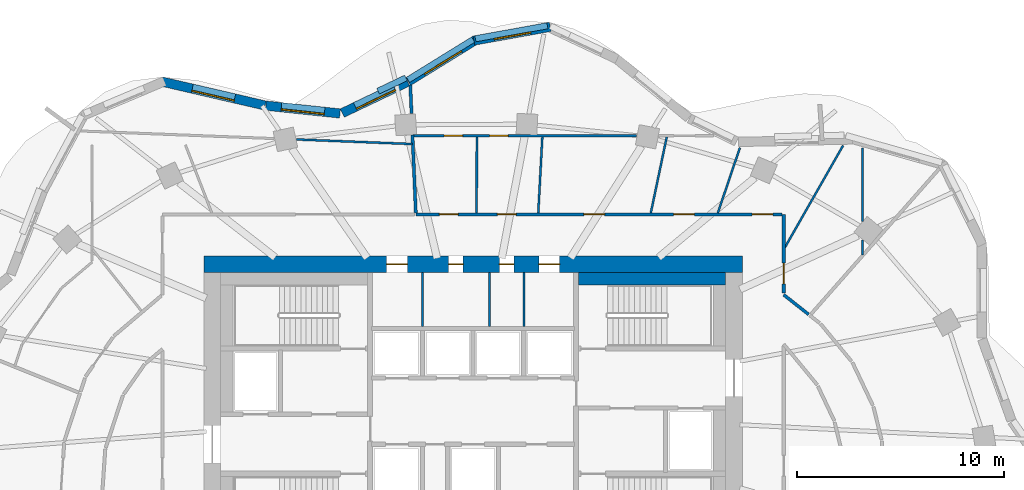
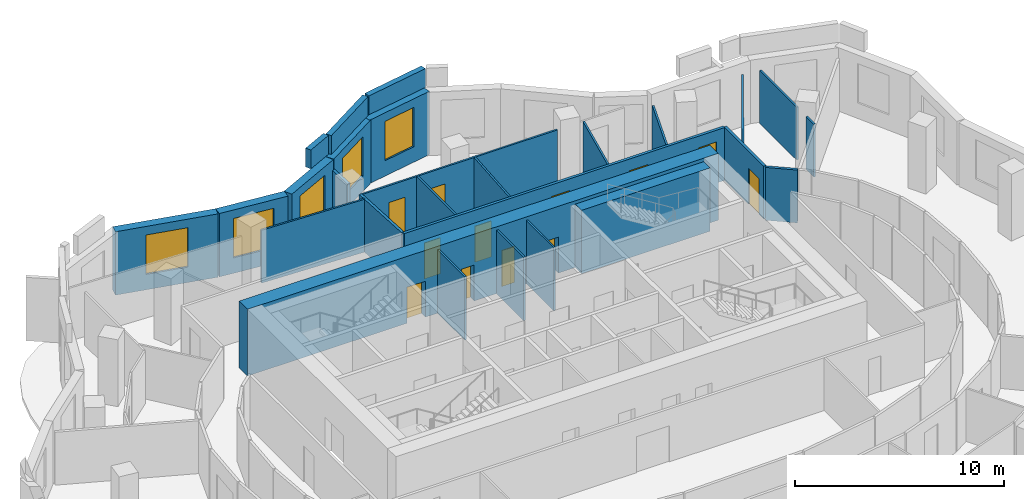
# One storey, part 10 of 13: 27 walls, 12 doors, 5 windows, 17 openings.
"""IFC4 building model written with IfcOpenShell, lengths in metres."""

from ifc_helpers import new_model, si_unit, direction, frame, frame_2d, origin, place, context, subcontext, project, spatial, rectangle, extrude, material, layer, layer_set, type_object, element, fill, save


model = new_model("IFC4")

# Units and contexts
model_context = context("Model", 3, precision=1e-05, world=origin(), true_north=direction((0.0, 1.0)))
body_context = subcontext(model_context, "Body", "Model", "MODEL_VIEW")
ifc_project = project(units=[si_unit("LENGTHUNIT", "METRE"), si_unit("AREAUNIT", "SQUARE_METRE"), si_unit("VOLUMEUNIT", "CUBIC_METRE"), si_unit("PLANEANGLEUNIT", "RADIAN"), si_unit("MASSUNIT", "GRAM", prefix="KILO")], contexts=[model_context])

# Site, building, storey
site_placement = place(None, origin())
site = spatial("IfcSite", under=ifc_project, at=site_placement, CompositionType="ELEMENT")
building_placement = place(site_placement, origin())
building = spatial("IfcBuilding", under=site, at=building_placement, Name="Rubra Terraces Tower", CompositionType="ELEMENT")
storey_placement = place(building_placement, frame((0.0, 0.0, 233.10009765625)))
storey = spatial("IfcBuildingStorey", under=building, at=storey_placement, Name="L57", CompositionType="ELEMENT", Elevation=233.10009765625)

# Wall, opening, window
ifc_material_1 = material(Name="Brick masonry red-brown", Category="masonry")
ifc_layer_1 = layer(ifc_material_1, 0.449951171875)
ifc_layer_set_1 = layer_set([ifc_layer_1], Name="Brick masonry red-brown")
wall_type_1 = type_object("IfcWallType", Name="Brick facade wall 450", PredefinedType="SOLIDWALL", material=ifc_layer_set_1)
wall_1_placement = place(storey_placement, frame((3.726806640625, 23.060546875, 0.0), z_axis=(0.0, 0.0, 1.0), x_axis=(-0.984119180424, -0.177508982087, 0.0)))
wall_1 = element("IfcWall", 1, at=wall_1_placement, inside=storey, type_object=wall_type_1, Name="Facade wall L57 bay 10", PredefinedType="SOLIDWALL", context=body_context, shape_type="SweptSolid", body=[
    extrude(rectangle(XDim=3.74658203125, YDim=0.449951171875, at=frame_2d((1.873291015625, 0.0))), origin(), (0.0, 0.0, 1.0), 3.699951171875),
])
opening_1_placement = place(wall_1_placement, frame((0.97314453125, 0.0, 0.89990234375)))
opening_1 = element("IfcOpeningElement", 2, at=opening_1_placement, cuts=wall_1, Name="Opening W6B", PredefinedType="OPENING", context=body_context, shape_type="SweptSolid", body=[
    extrude(rectangle(XDim=1.800048828125, YDim=2.300048828125, at=frame_2d((0.89990234375, 1.14990234375))), frame((0.0, 0.23486328125, 0.0), z_axis=(0.0, -1.0, 0.0), x_axis=(1.0, 0.0, 0.0)), (0.0, 0.0, 1.0), 0.469970703125),
])
ifc_material_2 = material(Name="Clear glass in aluminium frame", Category="aluminium")
window_type_1 = type_object("IfcWindowType", Name="Fixed deep-set window at wind fin tall storey 1800 x 2300", PartitioningType="SINGLE_PANEL", PredefinedType="WINDOW", material=ifc_material_2)
window_1_placement = place(opening_1_placement, origin())
window_1 = element("IfcWindow", 3, at=window_1_placement, inside=storey, type_object=window_type_1, Name="Window L57 bay 10", OverallHeight=2.300048828125, OverallWidth=1.800048828125, PartitioningType="SINGLE_PANEL", PredefinedType="WINDOW", context=body_context, shape_type="SweptSolid", body=[
    extrude(rectangle(XDim=1.800048828125, YDim=2.300048828125, at=frame_2d((0.89990234375, 1.14990234375))), frame((0.0, 0.135009765625, 0.0), z_axis=(0.0, -1.0, 0.0), x_axis=(1.0, 0.0, 0.0)), (0.0, 0.0, 1.0), 0.06005859375),
])
fill(opening_1, window_1)

wall_2_placement = place(storey_placement, frame((0.114990234375, 22.423583984375, 0.0), z_axis=(0.0, 0.0, 1.0), x_axis=(-0.8506970368, -0.525656305564, 0.0)))
wall_2 = element("IfcWall", 4, at=wall_2_placement, inside=storey, type_object=wall_type_1, Name="Facade wall L57 bay 11", PredefinedType="SOLIDWALL", context=body_context, shape_type="SweptSolid", body=[
    extrude(rectangle(XDim=3.81640625, YDim=0.449951171875, at=frame_2d((1.908203125, 0.0))), origin(), (0.0, 0.0, 1.0), 3.699951171875),
])
opening_2_placement = place(wall_2_placement, frame((0.858154296875, 0.0, 0.89990234375)))
opening_2 = element("IfcOpeningElement", 5, at=opening_2_placement, cuts=wall_2, Name="Opening W1B", PredefinedType="OPENING", context=body_context, shape_type="SweptSolid", body=[
    extrude(rectangle(XDim=2.10009765625, YDim=2.300048828125, at=frame_2d((1.050048828125, 1.14990234375))), frame((0.0, 0.23486328125, 0.0), z_axis=(0.0, -1.0, 0.0), x_axis=(1.0, 0.0, 0.0)), (0.0, 0.0, 1.0), 0.469970703125),
])
window_type_2 = type_object("IfcWindowType", Name="Fixed deep-set window tall storey 2100 x 2300", PartitioningType="SINGLE_PANEL", PredefinedType="WINDOW", material=ifc_material_2)
window_2_placement = place(opening_2_placement, origin())
window_2 = element("IfcWindow", 6, at=window_2_placement, inside=storey, type_object=window_type_2, Name="Window L57 bay 11", OverallHeight=2.300048828125, OverallWidth=2.10009765625, PartitioningType="SINGLE_PANEL", PredefinedType="WINDOW", context=body_context, shape_type="SweptSolid", body=[
    extrude(rectangle(XDim=2.10009765625, YDim=2.300048828125, at=frame_2d((1.050048828125, 1.14990234375))), frame((0.0, 0.135009765625, 0.0), z_axis=(0.0, -1.0, 0.0), x_axis=(1.0, 0.0, 0.0)), (0.0, 0.0, 1.0), 0.06005859375),
])
fill(opening_2, window_2)

wall_3_placement = place(storey_placement, frame((-3.153564453125, 20.406005859375, 0.0), z_axis=(0.0, 0.0, 1.0), x_axis=(-0.902333313, -0.431038968367, 0.0)))
wall_3 = element("IfcWall", 7, at=wall_3_placement, inside=storey, type_object=wall_type_1, Name="Facade wall L57 bay 12", PredefinedType="SOLIDWALL", context=body_context, shape_type="SweptSolid", body=[
    extrude(rectangle(XDim=3.50537109375, YDim=0.449951171875, at=frame_2d((1.752685546875, 0.0))), origin(), (0.0, 0.0, 1.0), 3.699951171875),
])
opening_3_placement = place(wall_3_placement, frame((0.702880859375, 0.0, 0.89990234375)))
opening_3 = element("IfcOpeningElement", 8, at=opening_3_placement, cuts=wall_3, Name="Opening W1B", PredefinedType="OPENING", context=body_context, shape_type="SweptSolid", body=[
    extrude(rectangle(XDim=2.10009765625, YDim=2.300048828125, at=frame_2d((1.050048828125, 1.14990234375))), frame((0.0, 0.23486328125, 0.0), z_axis=(0.0, -1.0, 0.0), x_axis=(1.0, 0.0, 0.0)), (0.0, 0.0, 1.0), 0.469970703125),
])
window_3_placement = place(opening_3_placement, origin())
window_3 = element("IfcWindow", 9, at=window_3_placement, inside=storey, type_object=window_type_2, Name="Window L57 bay 12", OverallHeight=2.300048828125, OverallWidth=2.10009765625, PartitioningType="SINGLE_PANEL", PredefinedType="WINDOW", context=body_context, shape_type="SweptSolid", body=[
    extrude(rectangle(XDim=2.10009765625, YDim=2.300048828125, at=frame_2d((1.050048828125, 1.14990234375))), frame((0.0, 0.135009765625, 0.0), z_axis=(0.0, -1.0, 0.0), x_axis=(1.0, 0.0, 0.0)), (0.0, 0.0, 1.0), 0.06005859375),
])
fill(opening_3, window_3)

wall_4_placement = place(storey_placement, frame((-6.4267578125, 18.875244140625, 0.0), z_axis=(0.0, 0.0, 1.0), x_axis=(-0.994433468803, 0.10536638992, 0.0)))
wall_4 = element("IfcWall", 10, at=wall_4_placement, inside=storey, type_object=wall_type_1, Name="Facade wall L57 bay 13", PredefinedType="SOLIDWALL", context=body_context, shape_type="SweptSolid", body=[
    extrude(rectangle(XDim=3.598388671875, YDim=0.449951171875, at=frame_2d((1.79931640625, 0.0))), origin(), (0.0, 0.0, 1.0), 3.699951171875),
])
opening_4_placement = place(wall_4_placement, frame((0.749267578125, 0.0, 0.89990234375)))
opening_4 = element("IfcOpeningElement", 11, at=opening_4_placement, cuts=wall_4, Name="Opening W1B", PredefinedType="OPENING", context=body_context, shape_type="SweptSolid", body=[
    extrude(rectangle(XDim=2.10009765625, YDim=2.300048828125, at=frame_2d((1.050048828125, 1.14990234375))), frame((0.0, 0.23486328125, 0.0), z_axis=(0.0, -1.0, 0.0), x_axis=(1.0, 0.0, 0.0)), (0.0, 0.0, 1.0), 0.469970703125),
])
window_4_placement = place(opening_4_placement, origin())
window_4 = element("IfcWindow", 12, at=window_4_placement, inside=storey, type_object=window_type_2, Name="Window L57 bay 13", OverallHeight=2.300048828125, OverallWidth=2.10009765625, PartitioningType="SINGLE_PANEL", PredefinedType="WINDOW", context=body_context, shape_type="SweptSolid", body=[
    extrude(rectangle(XDim=2.10009765625, YDim=2.300048828125, at=frame_2d((1.050048828125, 1.14990234375))), frame((0.0, 0.135009765625, 0.0), z_axis=(0.0, -1.0, 0.0), x_axis=(1.0, 0.0, 0.0)), (0.0, 0.0, 1.0), 0.06005859375),
])
fill(opening_4, window_4)

wall_5_placement = place(storey_placement, frame((-10.0341796875, 19.258544921875, 0.0), z_axis=(0.0, 0.0, 1.0), x_axis=(-0.974223567844, 0.225584662283, 0.0)))
wall_5 = element("IfcWall", 13, at=wall_5_placement, inside=storey, type_object=wall_type_1, Name="Facade wall L57 bay 14", PredefinedType="SOLIDWALL", context=body_context, shape_type="SweptSolid", body=[
    extrude(rectangle(XDim=5.138671875, YDim=0.449951171875, at=frame_2d((2.5693359375, 0.0))), origin(), (0.0, 0.0, 1.0), 3.699951171875),
])
opening_5_placement = place(wall_5_placement, frame((1.51904296875, 0.0, 0.89990234375)))
opening_5 = element("IfcOpeningElement", 14, at=opening_5_placement, cuts=wall_5, Name="Opening W1B", PredefinedType="OPENING", context=body_context, shape_type="SweptSolid", body=[
    extrude(rectangle(XDim=2.10009765625, YDim=2.300048828125, at=frame_2d((1.050048828125, 1.14990234375))), frame((0.0, 0.23486328125, 0.0), z_axis=(0.0, -1.0, 0.0), x_axis=(1.0, 0.0, 0.0)), (0.0, 0.0, 1.0), 0.469970703125),
])
window_5_placement = place(opening_5_placement, origin())
window_5 = element("IfcWindow", 15, at=window_5_placement, inside=storey, type_object=window_type_2, Name="Window L57 bay 14", OverallHeight=2.300048828125, OverallWidth=2.10009765625, PartitioningType="SINGLE_PANEL", PredefinedType="WINDOW", context=body_context, shape_type="SweptSolid", body=[
    extrude(rectangle(XDim=2.10009765625, YDim=2.300048828125, at=frame_2d((1.050048828125, 1.14990234375))), frame((0.0, 0.135009765625, 0.0), z_axis=(0.0, -1.0, 0.0), x_axis=(1.0, 0.0, 0.0)), (0.0, 0.0, 1.0), 0.06005859375),
])
fill(opening_5, window_5)

# Walls
ifc_layer_2 = layer(ifc_material_1, 0.300048828125)
ifc_layer_set_2 = layer_set([ifc_layer_2], Name="Brick masonry red-brown")
wall_type_2 = type_object("IfcWallType", Name="Brick parapet 300", PredefinedType="PARAPET", material=ifc_layer_set_2)
wall_6_placement = place(storey_placement, frame((3.58984375, 23.112060546875, 3.89990234375), z_axis=(0.0, 0.0, 1.0), x_axis=(-0.984124248147, -0.177480884064, 0.0)))
element("IfcWall", 16, at=wall_6_placement, inside=storey, type_object=wall_type_2, Name="Parapet L57 bay 10", PredefinedType="PARAPET", context=body_context, shape_type="SweptSolid", body=[
    extrude(rectangle(XDim=3.533935546875, YDim=0.300048828125, at=frame_2d((1.76708984375, 0.0))), origin(), (0.0, 0.0, 1.0), 1.10009765625),
])
wall_7_placement = place(storey_placement, frame((0.0048828125, 22.443603515625, 3.89990234375), z_axis=(0.0, 0.0, 1.0), x_axis=(-0.850710394144, -0.525634688063, 0.0)))
element("IfcWall", 17, at=wall_7_placement, inside=storey, type_object=wall_type_2, Name="Parapet L57 bay 11", PredefinedType="PARAPET", context=body_context, shape_type="SweptSolid", body=[
    extrude(rectangle(XDim=3.701904296875, YDim=0.300048828125, at=frame_2d((1.85107421875, 0.0))), origin(), (0.0, 0.0, 1.0), 1.10009765625),
])
wall_8_placement = place(storey_placement, frame((-3.2392578125, 20.594482421875, 3.89990234375), z_axis=(0.0, 0.0, 1.0), x_axis=(-0.902344893923, -0.431014724123, 0.0)))
element("IfcWall", 18, at=wall_8_placement, inside=storey, type_object=wall_type_2, Name="Parapet L57 bay 12", PredefinedType="PARAPET", context=body_context, shape_type="SweptSolid", body=[
    extrude(rectangle(XDim=1.48974609375, YDim=0.300048828125, at=frame_2d((0.744873046875, 0.0))), origin(), (0.0, 0.0, 1.0), 1.10009765625),
])

# Wall, openings, doors
ifc_material_3 = material(Name="Concrete C50", Category="concrete")
ifc_layer_3 = layer(ifc_material_3, 0.800048828125)
ifc_layer_set_3 = layer_set([ifc_layer_3], Name="Concrete C50")
wall_type_3 = type_object("IfcWallType", Name="CORE WALL 800 C50", PredefinedType="SHEAR", material=ifc_layer_set_3)
wall_9_placement = place(storey_placement, frame((-13.0, 11.60009765625, 0.0), z_axis=(0.0, 0.0, 1.0), x_axis=(1.0, 0.0, 0.0)))
wall_9 = element("IfcWall", 19, at=wall_9_placement, inside=storey, type_object=wall_type_3, Name="CORE WALL N L57", PredefinedType="SHEAR", context=body_context, shape_type="SweptSolid", body=[
    extrude(rectangle(XDim=26.0, YDim=0.800048828125, at=frame_2d((13.0, 0.0))), origin(), (0.0, 0.0, 1.0), 3.89990234375),
])
opening_6_placement = place(wall_9_placement, frame((8.824951171875, 0.0, 0.0)))
opening_6 = element("IfcOpeningElement", 20, at=opening_6_placement, cuts=wall_9, Name="Opening L57.C25", PredefinedType="OPENING", context=body_context, shape_type="SweptSolid", body=[
    extrude(rectangle(XDim=1.0, YDim=2.10009765625, at=frame_2d((0.5, 1.050048828125))), frame((0.0, 0.409912109375, 0.0), z_axis=(0.0, -1.0, 0.0), x_axis=(1.0, 0.0, 0.0)), (0.0, 0.0, 1.0), 0.820068359375),
])
opening_7_placement = place(wall_9_placement, frame((11.824951171875, 0.0, 0.0)))
opening_7 = element("IfcOpeningElement", 21, at=opening_7_placement, cuts=wall_9, Name="Opening L57.C26", PredefinedType="OPENING", context=body_context, shape_type="SweptSolid", body=[
    extrude(rectangle(XDim=0.699951171875, YDim=2.10009765625, at=frame_2d((0.35009765625, 1.050048828125))), frame((0.0, 0.409912109375, 0.0), z_axis=(0.0, -1.0, 0.0), x_axis=(1.0, 0.0, 0.0)), (0.0, 0.0, 1.0), 0.820068359375),
])
opening_8_placement = place(wall_9_placement, frame((14.27490234375, 0.0, 0.0)))
opening_8 = element("IfcOpeningElement", 22, at=opening_8_placement, cuts=wall_9, Name="Opening L57.C27", PredefinedType="OPENING", context=body_context, shape_type="SweptSolid", body=[
    extrude(rectangle(XDim=0.699951171875, YDim=2.10009765625, at=frame_2d((0.35009765625, 1.050048828125))), frame((0.0, 0.409912109375, 0.0), z_axis=(0.0, -1.0, 0.0), x_axis=(1.0, 0.0, 0.0)), (0.0, 0.0, 1.0), 0.820068359375),
])
opening_9_placement = place(wall_9_placement, frame((16.175048828125, 0.0, 0.0)))
opening_9 = element("IfcOpeningElement", 23, at=opening_9_placement, cuts=wall_9, Name="Opening L57.C28", PredefinedType="OPENING", context=body_context, shape_type="SweptSolid", body=[
    extrude(rectangle(XDim=1.0, YDim=2.10009765625, at=frame_2d((0.5, 1.050048828125))), frame((0.0, 0.409912109375, 0.0), z_axis=(0.0, -1.0, 0.0), x_axis=(1.0, 0.0, 0.0)), (0.0, 0.0, 1.0), 0.820068359375),
])
ifc_material_4 = material(Name="Painted steel", Category="steel")
door_type_1 = type_object("IfcDoorType", Name="Fire door 1000x2100 single", OperationType="NOTDEFINED", PredefinedType="DOOR", material=ifc_material_4)
door_1_placement = place(opening_6_placement, origin())
door_1 = element("IfcDoor", 24, at=door_1_placement, inside=storey, type_object=door_type_1, Name="Security and building control room door", OperationType="SINGLE_SWING_LEFT", OverallHeight=2.10009765625, OverallWidth=1.0, PredefinedType="DOOR", context=body_context, shape_type="SweptSolid", body=[
    extrude(rectangle(XDim=1.0, YDim=2.10009765625, at=frame_2d((0.5, 1.050048828125))), frame((0.0, 0.02490234375, 0.0), z_axis=(0.0, -1.0, 0.0), x_axis=(1.0, 0.0, 0.0)), (0.0, 0.0, 1.0), 0.050048828125),
])
fill(opening_6, door_1)
door_2_placement = place(opening_9_placement, origin())
door_2 = element("IfcDoor", 25, at=door_2_placement, inside=storey, type_object=door_type_1, Name="Guest pantry door", OperationType="SINGLE_SWING_RIGHT", OverallHeight=2.10009765625, OverallWidth=1.0, PredefinedType="DOOR", context=body_context, shape_type="SweptSolid", body=[
    extrude(rectangle(XDim=1.0, YDim=2.10009765625, at=frame_2d((0.5, 1.050048828125))), frame((0.0, 0.02490234375, 0.0), z_axis=(0.0, -1.0, 0.0), x_axis=(1.0, 0.0, 0.0)), (0.0, 0.0, 1.0), 0.050048828125),
])
fill(opening_9, door_2)
door_type_2 = type_object("IfcDoorType", Name="Riser access door 700x2100 single", OperationType="NOTDEFINED", PredefinedType="DOOR", material=ifc_material_4)
door_3_placement = place(opening_7_placement, origin())
door_3 = element("IfcDoor", 26, at=door_3_placement, inside=storey, type_object=door_type_2, Name="Telecoms room door", OperationType="SINGLE_SWING_RIGHT", OverallHeight=2.10009765625, OverallWidth=0.699951171875, PredefinedType="DOOR", context=body_context, shape_type="SweptSolid", body=[
    extrude(rectangle(XDim=0.699951171875, YDim=2.10009765625, at=frame_2d((0.35009765625, 1.050048828125))), frame((0.0, 0.02490234375, 0.0), z_axis=(0.0, -1.0, 0.0), x_axis=(1.0, 0.0, 0.0)), (0.0, 0.0, 1.0), 0.050048828125),
])
fill(opening_7, door_3)
door_4_placement = place(opening_8_placement, origin())
door_4 = element("IfcDoor", 27, at=door_4_placement, inside=storey, type_object=door_type_2, Name="Water and drainage riser door", OperationType="SINGLE_SWING_LEFT", OverallHeight=2.10009765625, OverallWidth=0.699951171875, PredefinedType="DOOR", context=body_context, shape_type="SweptSolid", body=[
    extrude(rectangle(XDim=0.699951171875, YDim=2.10009765625, at=frame_2d((0.35009765625, 1.050048828125))), frame((0.0, 0.02490234375, 0.0), z_axis=(0.0, -1.0, 0.0), x_axis=(1.0, 0.0, 0.0)), (0.0, 0.0, 1.0), 0.050048828125),
])
fill(opening_8, door_4)

# Wall
ifc_material_5 = material(Name="Plasterboard on steel stud, mineral wool infill", Category="steel")
ifc_layer_4 = layer(ifc_material_5, 0.14990234375)
ifc_layer_set_4 = layer_set([ifc_layer_4], Name="Plasterboard on steel stud, mineral wool infill")
wall_type_4 = type_object("IfcWallType", Name="CORRIDOR PARTITION 150", PredefinedType="PARTITIONING", material=ifc_layer_set_4)
wall_10_placement = place(storey_placement, frame((16.20458984375, 9.1708984375, 0.0), z_axis=(0.0, 0.0, 1.0), x_axis=(-0.785057865828, 0.619422430415, 0.0)))
element("IfcWall", 28, at=wall_10_placement, inside=storey, type_object=wall_type_4, Name="PARTITION", PredefinedType="PARTITIONING", context=body_context, shape_type="SweptSolid", body=[
    extrude(rectangle(XDim=1.534423828125, YDim=0.14990234375, at=frame_2d((0.76708984375, 0.0))), origin(), (0.0, 0.0, 1.0), 3.083984375),
])

# Wall, opening, door
wall_11_placement = place(storey_placement, frame((15.0, 10.1962890625, 0.0), z_axis=(0.0, 0.0, 1.0), x_axis=(0.0, 1.0, 0.0)))
wall_11 = element("IfcWall", 29, at=wall_11_placement, inside=storey, type_object=wall_type_4, Name="PARTITION", PredefinedType="PARTITIONING", context=body_context, shape_type="SweptSolid", body=[
    extrude(rectangle(XDim=3.8037109375, YDim=0.14990234375, at=frame_2d((1.90185546875, 0.0))), origin(), (0.0, 0.0, 1.0), 3.083984375),
])
opening_10_placement = place(wall_11_placement, frame((0.449951171875, 0.0, 0.0)))
opening_10 = element("IfcOpeningElement", 30, at=opening_10_placement, cuts=wall_11, Name="Opening 57-112", PredefinedType="OPENING", context=body_context, shape_type="SweptSolid", body=[
    extrude(rectangle(XDim=1.0, YDim=2.10009765625, at=frame_2d((0.5, 1.050048828125))), frame((0.0, 0.0849609375, 0.0), z_axis=(0.0, -1.0, 0.0), x_axis=(1.0, 0.0, 0.0)), (0.0, 0.0, 1.0), 0.169921875),
])
ifc_material_6 = material(Name="Painted timber door leaf", Category="wood")
door_type_3 = type_object("IfcDoorType", Name="ROOM DOOR 1000 X 2100", OperationType="SINGLE_SWING_LEFT", PredefinedType="DOOR", material=ifc_material_6)
door_5_placement = place(opening_10_placement, origin())
door_5 = element("IfcDoor", 31, at=door_5_placement, inside=storey, type_object=door_type_3, Name="DOOR 57-112", OperationType="SINGLE_SWING_RIGHT", OverallHeight=2.10009765625, OverallWidth=1.0, PredefinedType="DOOR", context=body_context, shape_type="SweptSolid", body=[
    extrude(rectangle(XDim=1.0, YDim=2.10009765625, at=frame_2d((0.5, 1.050048828125))), frame((0.0, 0.02490234375, 0.0), z_axis=(0.0, -1.0, 0.0), x_axis=(1.0, 0.0, 0.0)), (0.0, 0.0, 1.0), 0.050048828125),
])
fill(opening_10, door_5)

# Wall, openings, doors
wall_12_placement = place(storey_placement, frame((14.925048828125, 14.0, 0.0), z_axis=(0.0, 0.0, 1.0), x_axis=(-1.0, 0.0, 0.0)))
wall_12 = element("IfcWall", 32, at=wall_12_placement, inside=storey, type_object=wall_type_4, Name="PARTITION", PredefinedType="PARTITIONING", context=body_context, shape_type="SweptSolid", body=[
    extrude(rectangle(XDim=17.686767578125, YDim=0.14990234375, at=frame_2d((8.84326171875, 0.0))), origin(), (0.0, 0.0, 1.0), 3.083984375),
])
opening_11_placement = place(wall_12_placement, frame((0.449951171875, 0.0, 0.0)))
opening_11 = element("IfcOpeningElement", 33, at=opening_11_placement, cuts=wall_12, Name="Opening 57-113", PredefinedType="OPENING", context=body_context, shape_type="SweptSolid", body=[
    extrude(rectangle(XDim=1.0, YDim=2.39990234375, at=frame_2d((0.5, 1.199951171875))), frame((0.0, 0.0849609375, 0.0), z_axis=(0.0, -1.0, 0.0), x_axis=(1.0, 0.0, 0.0)), (0.0, 0.0, 1.0), 0.169921875),
])
opening_12_placement = place(wall_12_placement, frame((4.243896484375, 0.0, 0.0)))
opening_12 = element("IfcOpeningElement", 34, at=opening_12_placement, cuts=wall_12, Name="Opening 57-114", PredefinedType="OPENING", context=body_context, shape_type="SweptSolid", body=[
    extrude(rectangle(XDim=1.0, YDim=2.39990234375, at=frame_2d((0.5, 1.199951171875))), frame((0.0, 0.0849609375, 0.0), z_axis=(0.0, -1.0, 0.0), x_axis=(1.0, 0.0, 0.0)), (0.0, 0.0, 1.0), 0.169921875),
])
opening_13_placement = place(wall_12_placement, frame((8.570068359375, 0.0, 0.0)))
opening_13 = element("IfcOpeningElement", 35, at=opening_13_placement, cuts=wall_12, Name="Opening 57-115", PredefinedType="OPENING", context=body_context, shape_type="SweptSolid", body=[
    extrude(rectangle(XDim=1.0, YDim=2.39990234375, at=frame_2d((0.5, 1.199951171875))), frame((0.0, 0.0849609375, 0.0), z_axis=(0.0, -1.0, 0.0), x_axis=(1.0, 0.0, 0.0)), (0.0, 0.0, 1.0), 0.169921875),
])
opening_14_placement = place(wall_12_placement, frame((12.85009765625, 0.0, 0.0)))
opening_14 = element("IfcOpeningElement", 36, at=opening_14_placement, cuts=wall_12, Name="Opening 57-129", PredefinedType="OPENING", context=body_context, shape_type="SweptSolid", body=[
    extrude(rectangle(XDim=0.89990234375, YDim=2.10009765625, at=frame_2d((0.449951171875, 1.050048828125))), frame((0.0, 0.0849609375, 0.0), z_axis=(0.0, -1.0, 0.0), x_axis=(1.0, 0.0, 0.0)), (0.0, 0.0, 1.0), 0.169921875),
])
opening_15_placement = place(wall_12_placement, frame((15.64990234375, 0.0, 0.0)))
opening_15 = element("IfcOpeningElement", 37, at=opening_15_placement, cuts=wall_12, Name="Opening 57-130", PredefinedType="OPENING", context=body_context, shape_type="SweptSolid", body=[
    extrude(rectangle(XDim=0.89990234375, YDim=2.10009765625, at=frame_2d((0.449951171875, 1.050048828125))), frame((0.0, 0.0849609375, 0.0), z_axis=(0.0, -1.0, 0.0), x_axis=(1.0, 0.0, 0.0)), (0.0, 0.0, 1.0), 0.169921875),
])
door_type_4 = type_object("IfcDoorType", Name="BATHROOM DOOR 900 X 2100", OperationType="SINGLE_SWING_LEFT", PredefinedType="DOOR", material=ifc_material_6)
door_6_placement = place(opening_14_placement, origin())
door_6 = element("IfcDoor", 38, at=door_6_placement, inside=storey, type_object=door_type_4, Name="DOOR 57-129", OperationType="SINGLE_SWING_RIGHT", OverallHeight=2.10009765625, OverallWidth=0.89990234375, PredefinedType="DOOR", context=body_context, shape_type="SweptSolid", body=[
    extrude(rectangle(XDim=0.89990234375, YDim=2.10009765625, at=frame_2d((0.449951171875, 1.050048828125))), frame((0.0, 0.02490234375, 0.0), z_axis=(0.0, -1.0, 0.0), x_axis=(1.0, 0.0, 0.0)), (0.0, 0.0, 1.0), 0.050048828125),
])
fill(opening_14, door_6)
door_7_placement = place(opening_15_placement, origin())
door_7 = element("IfcDoor", 39, at=door_7_placement, inside=storey, type_object=door_type_4, Name="DOOR 57-130", OperationType="SINGLE_SWING_RIGHT", OverallHeight=2.10009765625, OverallWidth=0.89990234375, PredefinedType="DOOR", context=body_context, shape_type="SweptSolid", body=[
    extrude(rectangle(XDim=0.89990234375, YDim=2.10009765625, at=frame_2d((0.449951171875, 1.050048828125))), frame((0.0, 0.02490234375, 0.0), z_axis=(0.0, -1.0, 0.0), x_axis=(1.0, 0.0, 0.0)), (0.0, 0.0, 1.0), 0.050048828125),
])
fill(opening_15, door_7)
ifc_material_7 = material(Name="Glazed aluminium meeting door leaf", Category="aluminium")
door_type_5 = type_object("IfcDoorType", Name="MEETING ROOM GLAZED DOOR 1000 X 2400", OperationType="SINGLE_SWING_LEFT", PredefinedType="DOOR", material=ifc_material_7)
door_8_placement = place(opening_11_placement, origin())
door_8 = element("IfcDoor", 40, at=door_8_placement, inside=storey, type_object=door_type_5, Name="DOOR 57-113", OperationType="SINGLE_SWING_RIGHT", OverallHeight=2.39990234375, OverallWidth=1.0, PredefinedType="DOOR", context=body_context, shape_type="SweptSolid", body=[
    extrude(rectangle(XDim=1.0, YDim=2.39990234375, at=frame_2d((0.5, 1.199951171875))), frame((0.0, 0.02490234375, 0.0), z_axis=(0.0, -1.0, 0.0), x_axis=(1.0, 0.0, 0.0)), (0.0, 0.0, 1.0), 0.050048828125),
])
fill(opening_11, door_8)
door_9_placement = place(opening_12_placement, origin())
door_9 = element("IfcDoor", 41, at=door_9_placement, inside=storey, type_object=door_type_5, Name="DOOR 57-114", OperationType="SINGLE_SWING_RIGHT", OverallHeight=2.39990234375, OverallWidth=1.0, PredefinedType="DOOR", context=body_context, shape_type="SweptSolid", body=[
    extrude(rectangle(XDim=1.0, YDim=2.39990234375, at=frame_2d((0.5, 1.199951171875))), frame((0.0, 0.02490234375, 0.0), z_axis=(0.0, -1.0, 0.0), x_axis=(1.0, 0.0, 0.0)), (0.0, 0.0, 1.0), 0.050048828125),
])
fill(opening_12, door_9)
door_10_placement = place(opening_13_placement, origin())
door_10 = element("IfcDoor", 42, at=door_10_placement, inside=storey, type_object=door_type_5, Name="DOOR 57-115", OperationType="SINGLE_SWING_RIGHT", OverallHeight=2.39990234375, OverallWidth=1.0, PredefinedType="DOOR", context=body_context, shape_type="SweptSolid", body=[
    extrude(rectangle(XDim=1.0, YDim=2.39990234375, at=frame_2d((0.5, 1.199951171875))), frame((0.0, 0.02490234375, 0.0), z_axis=(0.0, -1.0, 0.0), x_axis=(1.0, 0.0, 0.0)), (0.0, 0.0, 1.0), 0.050048828125),
])
fill(opening_13, door_10)

# Wall
ifc_material_8 = material(Name="Concrete C40", Category="concrete")
ifc_layer_5 = layer(ifc_material_8, 0.60009765625)
ifc_layer_set_5 = layer_set([ifc_layer_5], Name="Concrete C40")
wall_type_5 = type_object("IfcWallType", Name="Core lining wall 600 concrete", PredefinedType="SOLIDWALL", material=ifc_layer_set_5)
wall_13_placement = place(storey_placement, frame((12.199951171875, 10.89990234375, 0.0), z_axis=(0.0, 0.0, 1.0), x_axis=(-1.0, 0.0, 0.0)))
element("IfcWall", 43, at=wall_13_placement, inside=storey, type_object=wall_type_5, Name="CORE LINING WALL L57", PredefinedType="SOLIDWALL", context=body_context, shape_type="SweptSolid", body=[
    extrude(rectangle(XDim=7.099853515625, YDim=0.60009765625, at=frame_2d((3.5498046875, 0.0))), origin(), (0.0, 0.0, 1.0), 3.699951171875),
])

# Wall, openings, doors
ifc_material_9 = material(Name="Plasterboard on steel stud", Category="steel")
ifc_layer_6 = layer(ifc_material_9, 0.10009765625)
ifc_layer_set_6 = layer_set([ifc_layer_6], Name="Plasterboard on steel stud")
wall_type_6 = type_object("IfcWallType", Name="ROOM PARTITION 100", PredefinedType="PARTITIONING", material=ifc_layer_set_6)
wall_14_placement = place(storey_placement, frame((-2.905517578125, 17.800048828125, 0.0), z_axis=(0.0, 0.0, 1.0), x_axis=(1.0, 0.0, 0.0)))
wall_14 = element("IfcWall", 44, at=wall_14_placement, inside=storey, type_object=wall_type_6, Name="PARTITION", PredefinedType="PARTITIONING", context=body_context, shape_type="SweptSolid", body=[
    extrude(rectangle(XDim=10.8076171875, YDim=0.10009765625, at=frame_2d((5.40380859375, 0.0))), origin(), (0.0, 0.0, 1.0), 3.083984375),
])
opening_16_placement = place(wall_14_placement, frame((3.699951171875, 0.0, 0.0)))
opening_16 = element("IfcOpeningElement", 45, at=opening_16_placement, cuts=wall_14, Name="Opening 57-116", PredefinedType="OPENING", context=body_context, shape_type="SweptSolid", body=[
    extrude(rectangle(XDim=0.89990234375, YDim=2.10009765625, at=frame_2d((0.449951171875, 1.050048828125))), frame((0.0, 0.06005859375, 0.0), z_axis=(0.0, -1.0, 0.0), x_axis=(1.0, 0.0, 0.0)), (0.0, 0.0, 1.0), 0.1201171875),
])
opening_17_placement = place(wall_14_placement, frame((1.501953125, 0.0, 0.0)))
opening_17 = element("IfcOpeningElement", 46, at=opening_17_placement, cuts=wall_14, Name="Opening 57-117", PredefinedType="OPENING", context=body_context, shape_type="SweptSolid", body=[
    extrude(rectangle(XDim=0.89990234375, YDim=2.10009765625, at=frame_2d((0.449951171875, 1.050048828125))), frame((0.0, 0.06005859375, 0.0), z_axis=(0.0, -1.0, 0.0), x_axis=(1.0, 0.0, 0.0)), (0.0, 0.0, 1.0), 0.1201171875),
])
door_type_6 = type_object("IfcDoorType", Name="ROOM DOOR 900 X 2100", OperationType="SINGLE_SWING_LEFT", PredefinedType="DOOR", material=ifc_material_6)
door_11_placement = place(opening_16_placement, origin())
door_11 = element("IfcDoor", 47, at=door_11_placement, inside=storey, type_object=door_type_6, Name="DOOR 57-116", OperationType="SINGLE_SWING_LEFT", OverallHeight=2.10009765625, OverallWidth=0.89990234375, PredefinedType="DOOR", context=body_context, shape_type="SweptSolid", body=[
    extrude(rectangle(XDim=0.89990234375, YDim=2.10009765625, at=frame_2d((0.449951171875, 1.050048828125))), frame((0.0, 0.02490234375, 0.0), z_axis=(0.0, -1.0, 0.0), x_axis=(1.0, 0.0, 0.0)), (0.0, 0.0, 1.0), 0.050048828125),
])
fill(opening_16, door_11)
door_12_placement = place(opening_17_placement, origin())
door_12 = element("IfcDoor", 48, at=door_12_placement, inside=storey, type_object=door_type_6, Name="DOOR 57-117", OperationType="SINGLE_SWING_LEFT", OverallHeight=2.10009765625, OverallWidth=0.89990234375, PredefinedType="DOOR", context=body_context, shape_type="SweptSolid", body=[
    extrude(rectangle(XDim=0.89990234375, YDim=2.10009765625, at=frame_2d((0.449951171875, 1.050048828125))), frame((0.0, 0.02490234375, 0.0), z_axis=(0.0, -1.0, 0.0), x_axis=(1.0, 0.0, 0.0)), (0.0, 0.0, 1.0), 0.050048828125),
])
fill(opening_17, door_12)

# Walls
wall_15_placement = place(storey_placement, frame((18.7998046875, 17.2177734375, 0.0), z_axis=(0.0, 0.0, 1.0), x_axis=(6.8837337e-05, -0.999999997631, 0.0)))
element("IfcWall", 49, at=wall_15_placement, inside=storey, type_object=wall_type_6, Name="PARTITION", PredefinedType="PARTITIONING", context=body_context, shape_type="SweptSolid", body=[
    extrude(rectangle(XDim=3.546630859375, YDim=0.10009765625, at=frame_2d((1.7734375, 0.0))), origin(), (0.0, 0.0, 1.0), 3.083984375),
])
wall_16_placement = place(storey_placement, frame((18.800048828125, 12.775390625, 0.0), z_axis=(0.0, 0.0, 1.0), x_axis=(0.0, -1.0, 0.0)))
element("IfcWall", 50, at=wall_16_placement, inside=storey, type_object=wall_type_6, Name="PARTITION", PredefinedType="PARTITIONING", context=body_context, shape_type="SweptSolid", body=[
    extrude(rectangle(XDim=0.744873046875, YDim=0.10009765625, at=frame_2d((0.37255859375, 0.0))), origin(), (0.0, 0.0, 1.0), 3.083984375),
])
wall_17_placement = place(storey_placement, frame((15.037109375, 12.37109375, 0.0), z_axis=(0.0, 0.0, 1.0), x_axis=(0.495812059916, 0.868429848198, 0.0)))
element("IfcWall", 51, at=wall_17_placement, inside=storey, type_object=wall_type_6, Name="PARTITION", PredefinedType="PARTITIONING", context=body_context, shape_type="SweptSolid", body=[
    extrude(rectangle(XDim=5.71142578125, YDim=0.10009765625, at=frame_2d((2.855712890625, 0.0))), origin(), (0.0, 0.0, 1.0), 3.083984375),
])
wall_18_placement = place(storey_placement, frame((11.818603515625, 14.071044921875, 0.0), z_axis=(0.0, 0.0, 1.0), x_axis=(0.320667010102, 0.947191991432, 0.0)))
element("IfcWall", 52, at=wall_18_placement, inside=storey, type_object=wall_type_6, Name="PARTITION", PredefinedType="PARTITIONING", context=body_context, shape_type="SweptSolid", body=[
    extrude(rectangle(XDim=3.330078125, YDim=0.10009765625, at=frame_2d((1.6650390625, 0.0))), origin(), (0.0, 0.0, 1.0), 3.083984375),
])
wall_19_placement = place(storey_placement, frame((8.58251953125, 14.073486328125, 0.0), z_axis=(0.0, 0.0, 1.0), x_axis=(0.20542763149, 0.978672308907, 0.0)))
element("IfcWall", 53, at=wall_19_placement, inside=storey, type_object=wall_type_6, Name="PARTITION", PredefinedType="PARTITIONING", context=body_context, shape_type="SweptSolid", body=[
    extrude(rectangle(XDim=3.7578125, YDim=0.10009765625, at=frame_2d((1.87890625, 0.0))), origin(), (0.0, 0.0, 1.0), 3.083984375),
])
wall_20_placement = place(storey_placement, frame((3.147705078125, 14.074951171875, 0.0), z_axis=(0.0, 0.0, 1.0), x_axis=(0.053599846938, 0.998562494994, 0.0)))
element("IfcWall", 54, at=wall_20_placement, inside=storey, type_object=wall_type_6, Name="PARTITION", PredefinedType="PARTITIONING", context=body_context, shape_type="SweptSolid", body=[
    extrude(rectangle(XDim=3.680419921875, YDim=0.10009765625, at=frame_2d((1.84033203125, 0.0))), origin(), (0.0, 0.0, 1.0), 3.083984375),
])
wall_21_placement = place(storey_placement, frame((0.173095703125, 14.074951171875, 0.0), z_axis=(0.0, 0.0, 1.0), x_axis=(0.001992954256, 0.999998014065, 0.0)))
element("IfcWall", 55, at=wall_21_placement, inside=storey, type_object=wall_type_6, Name="PARTITION", PredefinedType="PARTITIONING", context=body_context, shape_type="SweptSolid", body=[
    extrude(rectangle(XDim=3.675048828125, YDim=0.10009765625, at=frame_2d((1.83740234375, 0.0))), origin(), (0.0, 0.0, 1.0), 3.083984375),
])
wall_22_placement = place(storey_placement, frame((-8.5302734375, 17.62060546875, 0.0), z_axis=(0.0, 0.0, 1.0), x_axis=(0.999224779049, -0.039368019188, 0.0)))
element("IfcWall", 56, at=wall_22_placement, inside=storey, type_object=wall_type_6, Name="PARTITION", PredefinedType="PARTITIONING", context=body_context, shape_type="SweptSolid", body=[
    extrude(rectangle(XDim=5.606201171875, YDim=0.10009765625, at=frame_2d((2.80322265625, 0.0))), origin(), (0.0, 0.0, 1.0), 3.083984375),
])
ifc_layer_7 = layer(ifc_material_9, 0.14990234375)
ifc_layer_set_7 = layer_set([ifc_layer_7], Name="Plasterboard on steel stud")
wall_type_7 = type_object("IfcWallType", Name="ROOM PARTITION 150", PredefinedType="PARTITIONING", material=ifc_layer_set_7)
wall_23_placement = place(storey_placement, frame((-3.03125, 20.247314453125, 0.0), z_axis=(0.0, 0.0, 1.0), x_axis=(0.043176136044, -0.999067475837, 0.0)))
element("IfcWall", 57, at=wall_23_placement, inside=storey, type_object=wall_type_7, Name="PARTITION", PredefinedType="PARTITIONING", context=body_context, shape_type="SweptSolid", body=[
    extrude(rectangle(XDim=1.379638671875, YDim=0.14990234375, at=frame_2d((0.68994140625, 0.0))), origin(), (0.0, 0.0, 1.0), 3.083984375),
])
wall_24_placement = place(storey_placement, frame((-2.927001953125, 17.82958984375, 0.0), z_axis=(0.0, 0.0, 1.0), x_axis=(0.043135572366, -0.99906922803, 0.0)))
element("IfcWall", 58, at=wall_24_placement, inside=storey, type_object=wall_type_7, Name="PARTITION", PredefinedType="PARTITIONING", context=body_context, shape_type="SweptSolid", body=[
    extrude(rectangle(XDim=3.758056640625, YDim=0.14990234375, at=frame_2d((1.87890625, 0.0))), origin(), (0.0, 0.0, 1.0), 3.083984375),
])
ifc_material_10 = material(Name="Blockwork", Category="masonry")
ifc_layer_8 = layer(ifc_material_10, 0.10009765625)
ifc_layer_set_8 = layer_set([ifc_layer_8], Name="Blockwork")
wall_type_8 = type_object("IfcWallType", Name="Service partition 100 blockwork", PredefinedType="PARTITIONING", material=ifc_layer_set_8)
for number, where, z_axis, x_axis, name in (
    (59, (-2.449951171875, 8.60009765625, 0.0), (0.0, 0.0, 1.0), (0.0, 1.0, 0.0), "SERVICE ROOM PARTITION L57"),
    (60, (0.800048828125, 8.60009765625, 0.0), (0.0, 0.0, 1.0), (0.0, 1.0, 0.0), "SERVICE ROOM PARTITION L57"),
    (61, (2.449951171875, 8.60009765625, 0.0), (0.0, 0.0, 1.0), (0.0, 1.0, 0.0), "SERVICE ROOM PARTITION L57"),
):
    element("IfcWall", number, at=place(storey_placement, frame(where, z_axis=z_axis, x_axis=x_axis)), inside=storey, type_object=wall_type_8, Name=name, PredefinedType="PARTITIONING", context=body_context, shape_type="SweptSolid", body=[
        extrude(rectangle(XDim=2.599853515625, YDim=0.10009765625, at=frame_2d((1.2998046875, 0.0))), origin(), (0.0, 0.0, 1.0), 3.699951171875),
    ])

save(model, "model.ifc")
